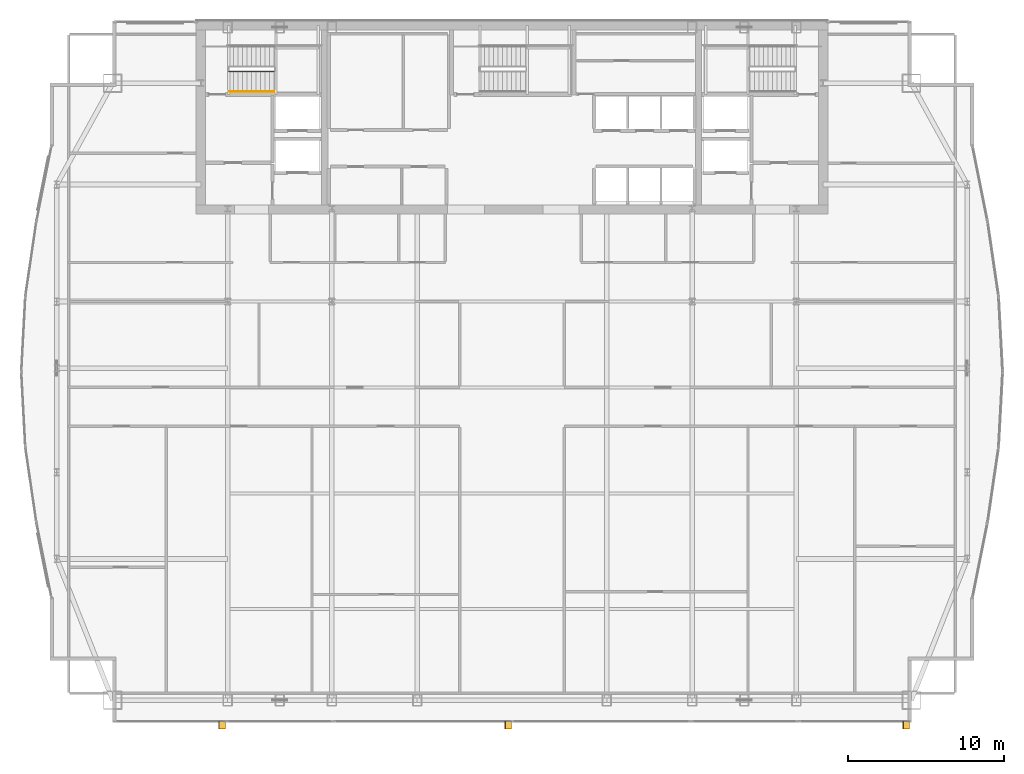
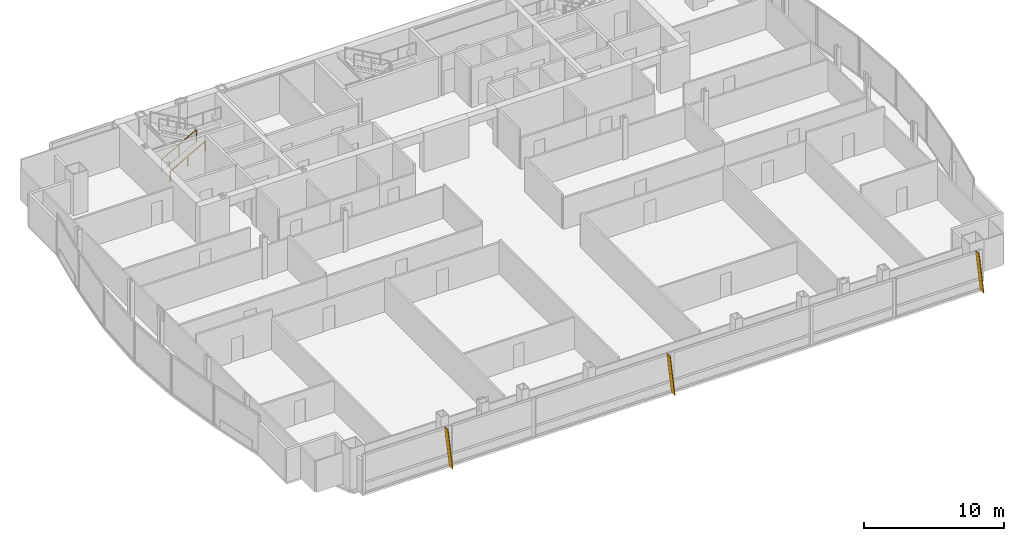
# One storey, part 29 of 30: 3 shading devices, 2 railings.
"""IFC4 building model written with IfcOpenShell, lengths in metres."""

from ifc_helpers import new_model, si_unit, direction, frame, origin, origin_2d, place, context, subcontext, project, spatial, polyline, rectangle, outline, extrude, material, layer, layer_set, type_object, element, save


model = new_model("IFC4")

# Units and contexts
model_context = context("Model", 3, precision=1e-05, world=origin(), true_north=direction((0.0, 1.0)))
body_context = subcontext(model_context, "Body", "Model", "MODEL_VIEW")
ifc_project = project(units=[si_unit("LENGTHUNIT", "METRE"), si_unit("AREAUNIT", "SQUARE_METRE"), si_unit("VOLUMEUNIT", "CUBIC_METRE"), si_unit("PLANEANGLEUNIT", "RADIAN"), si_unit("MASSUNIT", "GRAM", prefix="KILO")], contexts=[model_context])

# Site, building, storey
site_placement = place(None, origin())
site = spatial("IfcSite", under=ifc_project, at=site_placement, CompositionType="ELEMENT")
building_placement = place(site_placement, origin())
building = spatial("IfcBuilding", under=site, at=building_placement, Name="Khoronbel Lancet Exchange", CompositionType="ELEMENT")
storey_placement = place(building_placement, frame((0.0, 0.0, 206.60009765625)))
storey = spatial("IfcBuildingStorey", under=building, at=storey_placement, Name="L52", CompositionType="ELEMENT", Elevation=206.60009765625)

# Railings
ifc_material_1 = material(Name="Painted Steel Balustrade", Category="steel")
railing_type_1 = type_object("IfcRailingType", Name="RL-STG110", PredefinedType="GUARDRAIL", material=ifc_material_1)
railing_1_placement = place(storey_placement, frame((18.300048828125, 50.449951171875, 0.16357421875)))
element("IfcRailing", 1, at=railing_1_placement, inside=storey, type_object=railing_type_1, Name="L52 ST1 stair guard 1", PredefinedType="GUARDRAIL", context=body_context, shape_type="SweptSolid", body=[
    extrude(rectangle(XDim=0.048095703125, YDim=0.048095703125, at=origin_2d()), frame((0.0, 0.0, 1.09619140625), z_axis=(0.870928581787, 0.0, 0.491409610636), x_axis=(0.0, 1.0, 0.0)), (0.0, 0.0, 1.0), 3.32958984375),
    extrude(rectangle(XDim=0.02392578125, YDim=0.02392578125, at=origin_2d()), frame((0.0, 0.0, 0.080078125), z_axis=(0.870928581787, 0.0, 0.491409610636), x_axis=(0.0, 1.0, 0.0)), (0.0, 0.0, 1.0), 3.32958984375),
    extrude(rectangle(XDim=0.0419921875, YDim=0.0419921875, at=origin_2d()), origin(), (0.0, 0.0, 1.0), 1.072021484375),
    extrude(rectangle(XDim=0.0419921875, YDim=0.0419921875, at=origin_2d()), frame((1.449951171875, 0.0, 0.818115234375)), (0.0, 0.0, 1.0), 1.072021484375),
    extrude(rectangle(XDim=0.0419921875, YDim=0.0419921875, at=origin_2d()), frame((2.89990234375, 0.0, 1.63623046875)), (0.0, 0.0, 1.0), 1.072021484375),
])
ifc_material_2 = material(Name="Brushed Stainless Steel 316", Category="steel")
railing_type_2 = type_object("IfcRailingType", Name="RL-STH92", PredefinedType="HANDRAIL", material=ifc_material_2)
railing_2_placement = place(storey_placement, frame((18.300048828125, 49.169921875, 0.16357421875)))
element("IfcRailing", 2, at=railing_2_placement, inside=storey, type_object=railing_type_2, Name="L52 ST1 stair handrail 1", PredefinedType="HANDRAIL", context=body_context, shape_type="SweptSolid", body=[
    extrude(rectangle(XDim=0.048095703125, YDim=0.048095703125, at=origin_2d()), frame((0.0, 0.0, 0.8759765625), z_axis=(0.870928581787, 0.0, 0.491409610636), x_axis=(0.0, 1.0, 0.0)), (0.0, 0.0, 1.0), 3.32958984375),
    extrude(rectangle(XDim=0.0419921875, YDim=0.0419921875, at=origin_2d()), origin(), (0.0, 0.0, 1.0), 0.851806640625),
    extrude(rectangle(XDim=0.0419921875, YDim=0.0419921875, at=origin_2d()), frame((1.449951171875, 0.0, 0.818115234375)), (0.0, 0.0, 1.0), 0.851806640625),
    extrude(rectangle(XDim=0.0419921875, YDim=0.0419921875, at=origin_2d()), frame((2.89990234375, 0.0, 1.63623046875)), (0.0, 0.0, 1.0), 0.851806640625),
])

# Shading devices
ifc_material_3 = material(Name="Bronze-Anodised Aluminium 6063-T6", Category="aluminium")
ifc_layer = layer(ifc_material_3, 0.054931640625, Name="Bronze-Anodised Aluminium 6063-T6")
ifc_layer_set = layer_set([ifc_layer], Name="Bronze-Anodised Aluminium 6063-T6")
shading_device_type = type_object("IfcShadingDeviceType", Name="SHD-FIN1", PredefinedType="USERDEFINED", material=ifc_layer_set)
for number, where, z_axis, x_axis, name in (
    (3, (18.072509765625, 8.81005859375, -0.080078125), (0.993900347655, 0.0, 0.110281906632), (0.0, -1.0, 0.0), "Slanted bronze solar fin CW-L52-SWV-1"),
    (4, (36.422607421875, 8.81005859375, -0.080078125), (0.993900347655, 0.0, 0.110281906632), (0.0, -1.0, 0.0), "Slanted bronze solar fin CW-L52-SCV-1"),
    (5, (61.9326171875, 8.81005859375, -0.080078125), (0.993900347655, 0.0, 0.110281906632), (0.0, -1.0, 0.0), "Slanted bronze solar fin CW-L52-SEV-1"),
):
    element("IfcShadingDevice", number, at=place(storey_placement, frame(where, z_axis=z_axis, x_axis=x_axis)), inside=storey, type_object=shading_device_type, Name=name, ObjectType="FIN", PredefinedType="USERDEFINED", context=body_context, shape_type="SweptSolid", body=[
        extrude(outline(polyline([(0.0, 0.0), (0.52001953125, 0.0), (0.52001953125, -3.581787109375), (0.0, -3.581787109375), (0.0, 0.0)])), origin(), (0.0, 0.0, -1.0), 0.054931640625),
    ])

save(model, "model.ifc")
